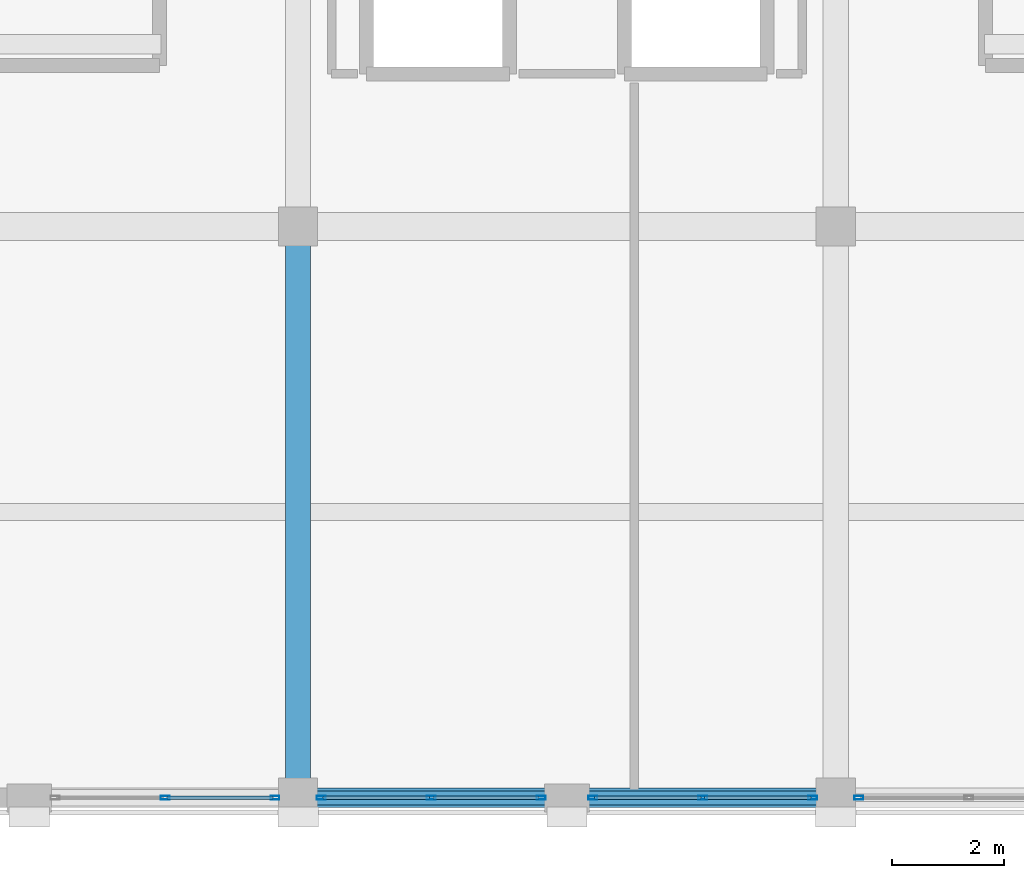
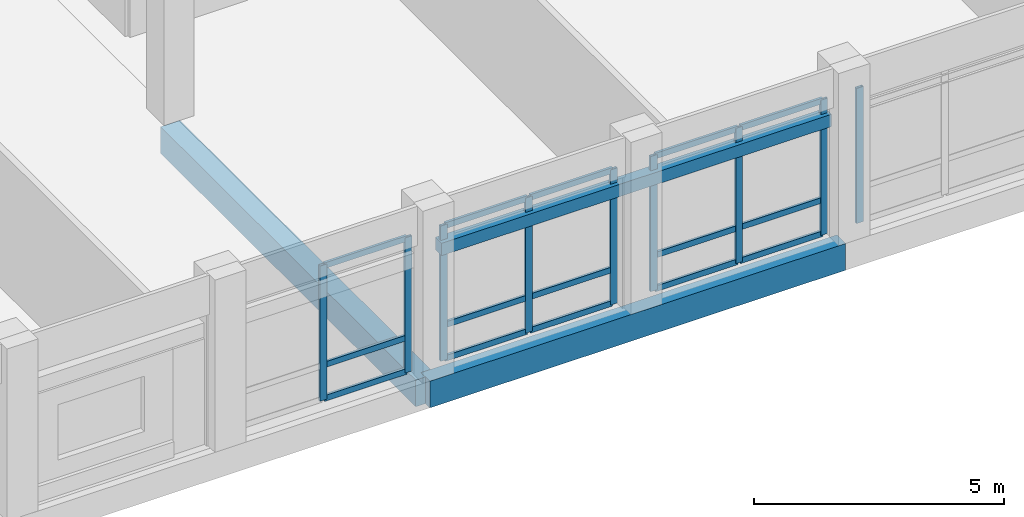
# One storey, part 22 of 185: 24 members, 3 beams, 4 elements without a shape of their own.
"""IFC4 building model written with IfcOpenShell, lengths in metres."""

import ifcopenshell
import ifcopenshell.guid

model = None  # the IFC model being written
_history = None  # IfcOwnerHistory: only IFC2X3 demands one
_inside = {}  # id of a spatial element -> (the spatial element, [elements in it])
_under = {}  # id of a project, library or spatial element -> (it, [spatial elements below it])
_declared = {}  # id of a project -> (the project, [libraries it declares])
_typed = {}  # id of a type object -> (the type object, [elements of that type])
_made_of = {}  # id of a material, layer set ... -> (it, [elements and type objects made of it])


def new_model(schema):
    """Start an empty IFC model of exactly this schema.

    Asked for "IFC4X3", IfcOpenShell would pick the latest addendum, in which some entities
    have other attributes; the version numbers below select the first issue.
    IFC2X3 requires an IfcOwnerHistory on every rooted entity: one is made here for all.
    """
    global model, _history
    if schema == "IFC4X3":
        model = ifcopenshell.file(schema_version=(4, 3, 0, 0))
    else:
        model = ifcopenshell.file(schema=schema)
    _inside.clear()
    _under.clear()
    _declared.clear()
    _typed.clear()
    _made_of.clear()
    _history = None
    if model.schema == "IFC2X3":
        org = make("IfcOrganization", Name="unknown")
        user = make(
            "IfcPersonAndOrganization",
            ThePerson=make("IfcPerson", FamilyName="unknown"),
            TheOrganization=org,
        )
        app = make(
            "IfcApplication",
            ApplicationDeveloper=org,
            Version="unknown",
            ApplicationFullName="unknown",
            ApplicationIdentifier="unknown",
        )
        _history = make(
            "IfcOwnerHistory",
            OwningUser=user,
            OwningApplication=app,
            ChangeAction="ADDED",
            CreationDate=0,
        )
    return model


def make(cls, **values):
    """One entity of the class cls with the attributes given. An attribute that is None is left unset."""
    return model.create_entity(
        cls, **{name: value for name, value in values.items() if value is not None}
    )


def rooted(cls, **values):
    """An entity with a GlobalId (a new one), such as an element, a storey or a relation."""
    return make(cls, GlobalId=ifcopenshell.guid.new(), OwnerHistory=_history, **values)


def si_unit(unit_type, name, prefix=None):
    """IfcSIUnit, for example si_unit("LENGTHUNIT", "METRE", prefix="MILLI")."""
    return make("IfcSIUnit", UnitType=unit_type, Prefix=prefix, Name=name)


def assignment(units):
    """IfcUnitAssignment: the units of a project."""
    return None if units is None else make("IfcUnitAssignment", Units=units)


def point(xyz):
    """IfcCartesianPoint."""
    return None if xyz is None else make("IfcCartesianPoint", Coordinates=xyz)


def direction(xyz):
    """IfcDirection."""
    return None if xyz is None else make("IfcDirection", DirectionRatios=xyz)


def frame(location, z_axis=None, x_axis=None):
    """IfcAxis2Placement3D, a coordinate frame: its origin and axes. An axis left out is left unset."""
    return make(
        "IfcAxis2Placement3D",
        Location=point(location),
        Axis=direction(z_axis),
        RefDirection=direction(x_axis),
    )


def frame_2d(location, x_axis=None):
    """IfcAxis2Placement2D, a coordinate frame in the plane: its origin and x axis."""
    return make(
        "IfcAxis2Placement2D", Location=point(location), RefDirection=direction(x_axis)
    )


def origin():
    """The frame at (0, 0, 0) with its axes left unset."""
    return frame((0.0, 0.0, 0.0))


def origin_2d():
    """The frame at (0, 0) in the plane with its x axis left unset."""
    return frame_2d((0.0, 0.0))


def place(relative_to, where):
    """IfcLocalPlacement: puts the frame where relative to a parent placement (None: the world)."""
    return make(
        "IfcLocalPlacement", PlacementRelTo=relative_to, RelativePlacement=where
    )


def context(
    kind, dimensions, precision=None, world=None, true_north=None, identifier=None
):
    """IfcGeometricRepresentationContext, for example the 3D "Model" context."""
    return make(
        "IfcGeometricRepresentationContext",
        ContextIdentifier=identifier,
        ContextType=kind,
        CoordinateSpaceDimension=dimensions,
        Precision=precision,
        WorldCoordinateSystem=world,
        TrueNorth=true_north,
    )


def subcontext(parent, identifier, kind, view, scale=None):
    """IfcGeometricRepresentationSubContext, for example "Body" below "Model"."""
    return make(
        "IfcGeometricRepresentationSubContext",
        ContextIdentifier=identifier,
        ContextType=kind,
        ParentContext=parent,
        TargetScale=scale,
        TargetView=view,
    )


def project(units=None, contexts=None):
    """IfcProject with its units and contexts."""
    return rooted(
        "IfcProject",
        Name="project",
        RepresentationContexts=contexts,
        UnitsInContext=assignment(units),
    )


def spatial(cls, under=None, at=None, **own):
    """A site, building, storey or space (cls), placed at a placement, below another one or the project."""
    s = rooted(cls, ObjectPlacement=at, **own)
    if under is not None:
        _under.setdefault(under.id(), (under, []))[1].append(s)
    return s


def profile(cls, at=None, kind="AREA", **sizes):
    """A parametric profile (cls). Its sizes go by their IFC names, for example OverallWidth=200.0."""
    return make(cls, ProfileType=kind, Position=at, **sizes)


def rectangle(**sizes):
    """IfcRectangleProfileDef."""
    return profile("IfcRectangleProfileDef", **sizes)


def hollow_rectangle(**sizes):
    """IfcRectangleHollowProfileDef."""
    return profile("IfcRectangleHollowProfileDef", **sizes)


def extrude(swept, where, along, depth):
    """IfcExtrudedAreaSolid: the profile swept, set in the frame where, extruded along a direction by depth."""
    return make(
        "IfcExtrudedAreaSolid",
        SweptArea=swept,
        Position=where,
        ExtrudedDirection=direction(along),
        Depth=depth,
    )


def shape(context_of_items, identifier, shape_type, items):
    """IfcShapeRepresentation: the items that make up one representation, for example the "Body"."""
    return make(
        "IfcShapeRepresentation",
        ContextOfItems=context_of_items,
        RepresentationIdentifier=identifier,
        RepresentationType=shape_type,
        Items=items,
    )


def material(Name=None, Category=None):
    """IfcMaterial."""
    return make("IfcMaterial", Name=Name, Category=Category)


def material_profile(
    of_material, cross_section, Name=None, Category=None, Priority=None
):
    """IfcMaterialProfile: a cross section and its material."""
    return make(
        "IfcMaterialProfile",
        Name=Name,
        Material=of_material,
        Profile=cross_section,
        Priority=Priority,
        Category=Category,
    )


def profile_set(profiles, Name=None, composite=None):
    """IfcMaterialProfileSet."""
    return make(
        "IfcMaterialProfileSet",
        Name=Name,
        MaterialProfiles=profiles,
        CompositeProfile=composite,
    )


def made_of(thing, what):
    """Note that an element or type object is made of a material, layer set ...; save() writes the relation."""
    if what is not None:
        _made_of.setdefault(what.id(), (what, []))[1].append(thing)
    return thing


def type_object(cls, material=None, **own):
    """A type object (cls), such as IfcWallType, which elements share."""
    return made_of(rooted(cls, **own), material)


def element(
    cls,
    number,
    at=None,
    inside=None,
    cuts=None,
    type_object=None,
    material=None,
    context=None,
    identifier="Body",
    shape_type=None,
    held_by="IfcProductDefinitionShape",
    body=None,
    shapes=None,
    **own,
):
    """One element of the class cls, such as IfcWall. Its Tag is "e" and its number.

    at: its placement. inside: the storey or other place that contains it. cuts: it is an
    opening in that element (IfcRelVoidsElement). A single representation is given by context,
    identifier, shape_type and body (its items); several are given by shapes. held_by: the class
    of the entity that holds the representations. save() writes the other relations.
    """
    e = rooted(cls, Tag="e%d" % number, ObjectPlacement=at, **own)
    if body is not None:
        shapes = [shape(context, identifier, shape_type, body)]
    if shapes is not None:
        e.Representation = make(held_by, Representations=shapes)
    if inside is not None:
        _inside.setdefault(inside.id(), (inside, []))[1].append(e)
    if cuts is not None:
        rooted(
            "IfcRelVoidsElement", RelatingBuildingElement=cuts, RelatedOpeningElement=e
        )
    if type_object is not None:
        _typed.setdefault(type_object.id(), (type_object, []))[1].append(e)
    return made_of(e, material)


def aggregate(whole, parts):
    """IfcRelAggregates: a whole, such as a stair, and the parts it consists of."""
    return rooted("IfcRelAggregates", RelatingObject=whole, RelatedObjects=parts)


def save(model, path):
    """Write the relations noted so far, then the file.

    IfcRelAggregates (storeys below a building ...), IfcRelContainedInSpatialStructure (elements
    in a storey), IfcRelDefinesByType, IfcRelAssociatesMaterial and IfcRelDeclares: one each for
    every whole, place, type object, material and project.
    """
    for whole, parts in _under.values():
        aggregate(whole, parts)
    for where, things in _inside.values():
        rooted(
            "IfcRelContainedInSpatialStructure",
            RelatedElements=things,
            RelatingStructure=where,
        )
    for kind, things in _typed.values():
        rooted("IfcRelDefinesByType", RelatedObjects=things, RelatingType=kind)
    for what, things in _made_of.values():
        rooted("IfcRelAssociatesMaterial", RelatedObjects=things, RelatingMaterial=what)
    for by, libraries in _declared.values():
        rooted("IfcRelDeclares", RelatingContext=by, RelatedDefinitions=libraries)
    model.write(path)


model = new_model("IFC4")

# Units and contexts
model_context = context("Model", 3, precision=1e-05, world=origin(), true_north=direction((0.0, 1.0)))
body_context = subcontext(model_context, "Body", "Model", "MODEL_VIEW")
ifc_project = project(units=[si_unit("LENGTHUNIT", "METRE"), si_unit("AREAUNIT", "SQUARE_METRE"), si_unit("VOLUMEUNIT", "CUBIC_METRE"), si_unit("PLANEANGLEUNIT", "RADIAN"), si_unit("MASSUNIT", "GRAM", prefix="KILO")], contexts=[model_context])

# Site, building, storey
site_placement = place(None, origin())
site = spatial("IfcSite", under=ifc_project, at=site_placement, CompositionType="ELEMENT")
building_placement = place(site_placement, origin())
building = spatial("IfcBuilding", under=site, at=building_placement, Name="Vondelvale Polytechnic", CompositionType="ELEMENT")
storey_placement = place(building_placement, frame((0.0, 0.0, 9.60009765625)))
storey = spatial("IfcBuildingStorey", under=building, at=storey_placement, Name="L02", CompositionType="ELEMENT", Elevation=9.60009765625)

# Beam
ifc_material_1 = material(Name="Concrete N40 (f'c = 40 MPa)", Category="concrete")
ifc_material_profile_1 = material_profile(ifc_material_1, rectangle(XDim=0.449951171875, YDim=0.64990234375, at=origin_2d()), Name="RC-BM-450x650")
ifc_profile_set_1 = profile_set([ifc_material_profile_1], Name="Concrete N40 (f'c = 40 MPa)")
beam_type_1 = type_object("IfcBeamType", Name="BM-RC450x650", PredefinedType="BEAM", material=ifc_profile_set_1)
beam_1_placement = place(storey_placement, frame((19.199951171875, 0.0, -0.60498046875), z_axis=(0.0, 1.0, 0.0), x_axis=(-1.0, 0.0, 0.0)))
element("IfcBeam", 1, at=beam_1_placement, inside=storey, type_object=beam_type_1, Name="L02 B B-04", PredefinedType="BEAM", context=body_context, shape_type="SweptSolid", body=[
    extrude(rectangle(XDim=0.449951171875, YDim=0.64990234375, at=origin_2d()), origin(), (0.0, 0.0, 1.0), 10.199951171875),
])

# Curtain wall, members
ifc_material_2 = material(Name="Anodised extruded aluminium 6063-T6", Category="aluminium")
curtain_wall_type = type_object("IfcCurtainWallType", Name="CW-LIBRARY-BAY", PredefinedType="NOTDEFINED", material=ifc_material_2)
curtain_wall_1_placement = place(storey_placement, origin())
curtain_wall_1 = element("IfcCurtainWall", 2, at=curtain_wall_1_placement, inside=storey, type_object=curtain_wall_type, Name="L02 architectural curtain wall CW-02-013", PredefinedType="NOTDEFINED")
ifc_material_profile_2 = material_profile(ifc_material_2, hollow_rectangle(XDim=0.06494140625, YDim=0.159912109375, WallThickness=0.0048828125, at=origin_2d()), Name="CW-MUL-160x65")
ifc_profile_set_2 = profile_set([ifc_material_profile_2], Name="Anodised extruded aluminium 6063-T6")
member_type_1 = type_object("IfcMemberType", Name="CW-MUL-65x160", PredefinedType="MULLION", material=ifc_profile_set_2)
member_1_placement = place(storey_placement, frame((16.824951171875, 0.0, 0.0), z_axis=(0.0, 0.0, 1.0), x_axis=(0.0, 1.0, 0.0)))
member_1 = element("IfcMember", 3, at=member_1_placement, type_object=member_type_1, Name="CW-02-013 mullion 2", PredefinedType="MULLION", context=body_context, shape_type="SweptSolid", body=[
    extrude(hollow_rectangle(XDim=0.06494140625, YDim=0.159912109375, WallThickness=0.0048828125, at=origin_2d()), origin(), (0.0, 0.0, 1.0), 3.2998046875),
])
member_2_placement = place(storey_placement, frame((18.78759765625, 0.0, 0.0), z_axis=(0.0, 0.0, 1.0), x_axis=(0.0, 1.0, 0.0)))
member_2 = element("IfcMember", 4, at=member_2_placement, type_object=member_type_1, Name="CW-02-013 mullion 3", PredefinedType="MULLION", context=body_context, shape_type="SweptSolid", body=[
    extrude(hollow_rectangle(XDim=0.06494140625, YDim=0.159912109375, WallThickness=0.0048828125, at=origin_2d()), origin(), (0.0, 0.0, 1.0), 3.2998046875),
])

curtain_wall_2_placement = place(storey_placement, origin())
curtain_wall_2 = element("IfcCurtainWall", 5, at=curtain_wall_2_placement, inside=storey, type_object=curtain_wall_type, Name="L02 architectural curtain wall CW-02-014", PredefinedType="NOTDEFINED")
member_3_placement = place(storey_placement, frame((19.612548828125, 0.0, 0.0), z_axis=(0.0, 0.0, 1.0), x_axis=(0.0, 1.0, 0.0)))
member_3 = element("IfcMember", 6, at=member_3_placement, type_object=member_type_1, Name="CW-02-014 mullion 1", PredefinedType="MULLION", context=body_context, shape_type="SweptSolid", body=[
    extrude(hollow_rectangle(XDim=0.06494140625, YDim=0.159912109375, WallThickness=0.0048828125, at=origin_2d()), origin(), (0.0, 0.0, 1.0), 3.2998046875),
])
member_4_placement = place(storey_placement, frame((21.574951171875, 0.0, 0.0), z_axis=(0.0, 0.0, 1.0), x_axis=(0.0, 1.0, 0.0)))
member_4 = element("IfcMember", 7, at=member_4_placement, type_object=member_type_1, Name="CW-02-014 mullion 2", PredefinedType="MULLION", context=body_context, shape_type="SweptSolid", body=[
    extrude(hollow_rectangle(XDim=0.06494140625, YDim=0.159912109375, WallThickness=0.0048828125, at=origin_2d()), origin(), (0.0, 0.0, 1.0), 3.2998046875),
])
member_5_placement = place(storey_placement, frame((23.53759765625, 0.0, 0.0), z_axis=(0.0, 0.0, 1.0), x_axis=(0.0, 1.0, 0.0)))
member_5 = element("IfcMember", 8, at=member_5_placement, type_object=member_type_1, Name="CW-02-014 mullion 3", PredefinedType="MULLION", context=body_context, shape_type="SweptSolid", body=[
    extrude(hollow_rectangle(XDim=0.06494140625, YDim=0.159912109375, WallThickness=0.0048828125, at=origin_2d()), origin(), (0.0, 0.0, 1.0), 3.2998046875),
])

curtain_wall_3_placement = place(storey_placement, origin())
curtain_wall_3 = element("IfcCurtainWall", 9, at=curtain_wall_3_placement, inside=storey, type_object=curtain_wall_type, Name="L02 architectural curtain wall CW-02-015", PredefinedType="NOTDEFINED")
member_6_placement = place(storey_placement, frame((24.46240234375, 0.0, 0.0), z_axis=(0.0, 0.0, 1.0), x_axis=(0.0, 1.0, 0.0)))
member_6 = element("IfcMember", 10, at=member_6_placement, type_object=member_type_1, Name="CW-02-015 mullion 1", PredefinedType="MULLION", context=body_context, shape_type="SweptSolid", body=[
    extrude(hollow_rectangle(XDim=0.06494140625, YDim=0.159912109375, WallThickness=0.0048828125, at=origin_2d()), origin(), (0.0, 0.0, 1.0), 3.2998046875),
])
member_7_placement = place(storey_placement, frame((26.425048828125, 0.0, 0.0), z_axis=(0.0, 0.0, 1.0), x_axis=(0.0, 1.0, 0.0)))
member_7 = element("IfcMember", 11, at=member_7_placement, type_object=member_type_1, Name="CW-02-015 mullion 2", PredefinedType="MULLION", context=body_context, shape_type="SweptSolid", body=[
    extrude(hollow_rectangle(XDim=0.06494140625, YDim=0.159912109375, WallThickness=0.0048828125, at=origin_2d()), origin(), (0.0, 0.0, 1.0), 3.2998046875),
])
member_8_placement = place(storey_placement, frame((28.387451171875, 0.0, 0.0), z_axis=(0.0, 0.0, 1.0), x_axis=(0.0, 1.0, 0.0)))
member_8 = element("IfcMember", 12, at=member_8_placement, type_object=member_type_1, Name="CW-02-015 mullion 3", PredefinedType="MULLION", context=body_context, shape_type="SweptSolid", body=[
    extrude(hollow_rectangle(XDim=0.06494140625, YDim=0.159912109375, WallThickness=0.0048828125, at=origin_2d()), origin(), (0.0, 0.0, 1.0), 3.2998046875),
])

# Curtain wall, member
curtain_wall_4_placement = place(storey_placement, origin())
curtain_wall_4 = element("IfcCurtainWall", 13, at=curtain_wall_4_placement, inside=storey, type_object=curtain_wall_type, Name="L02 architectural curtain wall CW-02-016", PredefinedType="NOTDEFINED")
member_9_placement = place(storey_placement, frame((29.21240234375, 0.0, 0.0), z_axis=(0.0, 0.0, 1.0), x_axis=(0.0, 1.0, 0.0)))
member_9 = element("IfcMember", 14, at=member_9_placement, type_object=member_type_1, Name="CW-02-016 mullion 1", PredefinedType="MULLION", context=body_context, shape_type="SweptSolid", body=[
    extrude(hollow_rectangle(XDim=0.06494140625, YDim=0.159912109375, WallThickness=0.0048828125, at=origin_2d()), origin(), (0.0, 0.0, 1.0), 3.2998046875),
])
aggregate(curtain_wall_4, [member_9])

# Member
ifc_material_profile_3 = material_profile(ifc_material_2, hollow_rectangle(XDim=0.06005859375, YDim=0.139892578125, WallThickness=0.00341796875, at=origin_2d()), Name="CW-TRN-140x60")
ifc_profile_set_3 = profile_set([ifc_material_profile_3], Name="Anodised extruded aluminium 6063-T6")
member_type_2 = type_object("IfcMemberType", Name="CW-TRN-60x140", PredefinedType="USERDEFINED", material=ifc_profile_set_3)
member_10_placement = place(storey_placement, frame((16.857421875, 0.0, 0.02978515625), z_axis=(1.0, 0.0, 0.0), x_axis=(0.0, 1.0, 0.0)))
member_10 = element("IfcMember", 15, at=member_10_placement, type_object=member_type_2, Name="CW-02-013 transom 2.1", ObjectType="TRANSOM", PredefinedType="USERDEFINED", context=body_context, shape_type="SweptSolid", body=[
    extrude(hollow_rectangle(XDim=0.06005859375, YDim=0.139892578125, WallThickness=0.00341796875, at=origin_2d()), origin(), (0.0, 0.0, 1.0), 1.8974609375),
])

member_11_placement = place(storey_placement, frame((16.857421875, 0.0, 0.849853515625), z_axis=(1.0, 0.0, 0.0), x_axis=(0.0, 1.0, 0.0)))
member_11 = element("IfcMember", 16, at=member_11_placement, type_object=member_type_2, Name="CW-02-013 transom 2.2", ObjectType="TRANSOM", PredefinedType="USERDEFINED", context=body_context, shape_type="SweptSolid", body=[
    extrude(hollow_rectangle(XDim=0.06005859375, YDim=0.139892578125, WallThickness=0.00341796875, at=origin_2d()), origin(), (0.0, 0.0, 1.0), 1.8974609375),
])

member_12_placement = place(storey_placement, frame((16.857421875, 0.0, 3.27001953125), z_axis=(1.0, 0.0, 0.0), x_axis=(0.0, 1.0, 0.0)))
member_12 = element("IfcMember", 17, at=member_12_placement, type_object=member_type_2, Name="CW-02-013 transom 2.3", ObjectType="TRANSOM", PredefinedType="USERDEFINED", context=body_context, shape_type="SweptSolid", body=[
    extrude(hollow_rectangle(XDim=0.06005859375, YDim=0.139892578125, WallThickness=0.00341796875, at=origin_2d()), origin(), (0.0, 0.0, 1.0), 1.8974609375),
])

aggregate(curtain_wall_1, [member_1, member_2, member_10, member_11, member_12])

member_13_placement = place(storey_placement, frame((19.64501953125, 0.0, 0.02978515625), z_axis=(1.0, 0.0, 0.0), x_axis=(0.0, 1.0, 0.0)))
member_13 = element("IfcMember", 18, at=member_13_placement, type_object=member_type_2, Name="CW-02-014 transom 1.1", ObjectType="TRANSOM", PredefinedType="USERDEFINED", context=body_context, shape_type="SweptSolid", body=[
    extrude(hollow_rectangle(XDim=0.06005859375, YDim=0.139892578125, WallThickness=0.00341796875, at=origin_2d()), origin(), (0.0, 0.0, 1.0), 1.8974609375),
])

member_14_placement = place(storey_placement, frame((19.64501953125, 0.0, 0.849853515625), z_axis=(1.0, 0.0, 0.0), x_axis=(0.0, 1.0, 0.0)))
member_14 = element("IfcMember", 19, at=member_14_placement, type_object=member_type_2, Name="CW-02-014 transom 1.2", ObjectType="TRANSOM", PredefinedType="USERDEFINED", context=body_context, shape_type="SweptSolid", body=[
    extrude(hollow_rectangle(XDim=0.06005859375, YDim=0.139892578125, WallThickness=0.00341796875, at=origin_2d()), origin(), (0.0, 0.0, 1.0), 1.8974609375),
])

member_15_placement = place(storey_placement, frame((19.64501953125, 0.0, 3.27001953125), z_axis=(1.0, 0.0, 0.0), x_axis=(0.0, 1.0, 0.0)))
member_15 = element("IfcMember", 20, at=member_15_placement, type_object=member_type_2, Name="CW-02-014 transom 1.3", ObjectType="TRANSOM", PredefinedType="USERDEFINED", context=body_context, shape_type="SweptSolid", body=[
    extrude(hollow_rectangle(XDim=0.06005859375, YDim=0.139892578125, WallThickness=0.00341796875, at=origin_2d()), origin(), (0.0, 0.0, 1.0), 1.8974609375),
])

member_16_placement = place(storey_placement, frame((21.607421875, 0.0, 0.02978515625), z_axis=(1.0, 0.0, 0.0), x_axis=(0.0, 1.0, 0.0)))
member_16 = element("IfcMember", 21, at=member_16_placement, type_object=member_type_2, Name="CW-02-014 transom 2.1", ObjectType="TRANSOM", PredefinedType="USERDEFINED", context=body_context, shape_type="SweptSolid", body=[
    extrude(hollow_rectangle(XDim=0.06005859375, YDim=0.139892578125, WallThickness=0.00341796875, at=origin_2d()), origin(), (0.0, 0.0, 1.0), 1.8974609375),
])

member_17_placement = place(storey_placement, frame((21.607421875, 0.0, 0.849853515625), z_axis=(1.0, 0.0, 0.0), x_axis=(0.0, 1.0, 0.0)))
member_17 = element("IfcMember", 22, at=member_17_placement, type_object=member_type_2, Name="CW-02-014 transom 2.2", ObjectType="TRANSOM", PredefinedType="USERDEFINED", context=body_context, shape_type="SweptSolid", body=[
    extrude(hollow_rectangle(XDim=0.06005859375, YDim=0.139892578125, WallThickness=0.00341796875, at=origin_2d()), origin(), (0.0, 0.0, 1.0), 1.8974609375),
])

member_18_placement = place(storey_placement, frame((21.607421875, 0.0, 3.27001953125), z_axis=(1.0, 0.0, 0.0), x_axis=(0.0, 1.0, 0.0)))
member_18 = element("IfcMember", 23, at=member_18_placement, type_object=member_type_2, Name="CW-02-014 transom 2.3", ObjectType="TRANSOM", PredefinedType="USERDEFINED", context=body_context, shape_type="SweptSolid", body=[
    extrude(hollow_rectangle(XDim=0.06005859375, YDim=0.139892578125, WallThickness=0.00341796875, at=origin_2d()), origin(), (0.0, 0.0, 1.0), 1.8974609375),
])

aggregate(curtain_wall_2, [member_3, member_4, member_5, member_13, member_14, member_15, member_16, member_17, member_18])

member_19_placement = place(storey_placement, frame((24.4951171875, 0.0, 0.02978515625), z_axis=(1.0, 0.0, 0.0), x_axis=(0.0, 1.0, 0.0)))
member_19 = element("IfcMember", 24, at=member_19_placement, type_object=member_type_2, Name="CW-02-015 transom 1.1", ObjectType="TRANSOM", PredefinedType="USERDEFINED", context=body_context, shape_type="SweptSolid", body=[
    extrude(hollow_rectangle(XDim=0.06005859375, YDim=0.139892578125, WallThickness=0.00341796875, at=origin_2d()), origin(), (0.0, 0.0, 1.0), 1.8974609375),
])

member_20_placement = place(storey_placement, frame((24.4951171875, 0.0, 0.849853515625), z_axis=(1.0, 0.0, 0.0), x_axis=(0.0, 1.0, 0.0)))
member_20 = element("IfcMember", 25, at=member_20_placement, type_object=member_type_2, Name="CW-02-015 transom 1.2", ObjectType="TRANSOM", PredefinedType="USERDEFINED", context=body_context, shape_type="SweptSolid", body=[
    extrude(hollow_rectangle(XDim=0.06005859375, YDim=0.139892578125, WallThickness=0.00341796875, at=origin_2d()), origin(), (0.0, 0.0, 1.0), 1.8974609375),
])

member_21_placement = place(storey_placement, frame((24.4951171875, 0.0, 3.27001953125), z_axis=(1.0, 0.0, 0.0), x_axis=(0.0, 1.0, 0.0)))
member_21 = element("IfcMember", 26, at=member_21_placement, type_object=member_type_2, Name="CW-02-015 transom 1.3", ObjectType="TRANSOM", PredefinedType="USERDEFINED", context=body_context, shape_type="SweptSolid", body=[
    extrude(hollow_rectangle(XDim=0.06005859375, YDim=0.139892578125, WallThickness=0.00341796875, at=origin_2d()), origin(), (0.0, 0.0, 1.0), 1.8974609375),
])

member_22_placement = place(storey_placement, frame((26.45751953125, 0.0, 0.02978515625), z_axis=(1.0, 0.0, 0.0), x_axis=(0.0, 1.0, 0.0)))
member_22 = element("IfcMember", 27, at=member_22_placement, type_object=member_type_2, Name="CW-02-015 transom 2.1", ObjectType="TRANSOM", PredefinedType="USERDEFINED", context=body_context, shape_type="SweptSolid", body=[
    extrude(hollow_rectangle(XDim=0.06005859375, YDim=0.139892578125, WallThickness=0.00341796875, at=origin_2d()), origin(), (0.0, 0.0, 1.0), 1.8974609375),
])

member_23_placement = place(storey_placement, frame((26.45751953125, 0.0, 0.849853515625), z_axis=(1.0, 0.0, 0.0), x_axis=(0.0, 1.0, 0.0)))
member_23 = element("IfcMember", 28, at=member_23_placement, type_object=member_type_2, Name="CW-02-015 transom 2.2", ObjectType="TRANSOM", PredefinedType="USERDEFINED", context=body_context, shape_type="SweptSolid", body=[
    extrude(hollow_rectangle(XDim=0.06005859375, YDim=0.139892578125, WallThickness=0.00341796875, at=origin_2d()), origin(), (0.0, 0.0, 1.0), 1.8974609375),
])

member_24_placement = place(storey_placement, frame((26.45751953125, 0.0, 3.27001953125), z_axis=(1.0, 0.0, 0.0), x_axis=(0.0, 1.0, 0.0)))
member_24 = element("IfcMember", 29, at=member_24_placement, type_object=member_type_2, Name="CW-02-015 transom 2.3", ObjectType="TRANSOM", PredefinedType="USERDEFINED", context=body_context, shape_type="SweptSolid", body=[
    extrude(hollow_rectangle(XDim=0.06005859375, YDim=0.139892578125, WallThickness=0.00341796875, at=origin_2d()), origin(), (0.0, 0.0, 1.0), 1.8974609375),
])

aggregate(curtain_wall_3, [member_6, member_7, member_8, member_19, member_20, member_21, member_22, member_23, member_24])

# Beams
ifc_material_3 = material(Name="Precast concrete N40 (f'c = 40 MPa)", Category="concrete")
ifc_material_profile_4 = material_profile(ifc_material_3, rectangle(XDim=0.25, YDim=0.300048828125, at=origin_2d()), Name="RC-LNT-250x300")
ifc_profile_set_4 = profile_set([ifc_material_profile_4], Name="Precast concrete N40 (f'c = 40 MPa)")
beam_type_2 = type_object("IfcBeamType", Name="LNT-RC250x300", PredefinedType="LINTEL", material=ifc_profile_set_4)
beam_2_placement = place(storey_placement, frame((19.5, 0.0, 2.7998046875), z_axis=(1.0, 0.0, 0.0), x_axis=(0.0, 1.0, 0.0)))
element("IfcBeam", 30, at=beam_2_placement, inside=storey, type_object=beam_type_2, Name="L02 LN LN-02", PredefinedType="LINTEL", context=body_context, shape_type="SweptSolid", body=[
    extrude(rectangle(XDim=0.25, YDim=0.300048828125, at=origin_2d()), origin(), (0.0, 0.0, 1.0), 9.0),
])
ifc_material_profile_5 = material_profile(ifc_material_3, rectangle(XDim=0.35009765625, YDim=0.64990234375, at=origin_2d()), Name="RC-SPN-350x650")
ifc_profile_set_5 = profile_set([ifc_material_profile_5], Name="Precast concrete N40 (f'c = 40 MPa)")
beam_type_3 = type_object("IfcBeamType", Name="SPN-PRE350x650", PredefinedType="SPANDREL", material=ifc_profile_set_5)
beam_3_placement = place(storey_placement, frame((19.199951171875, 0.0, -0.60498046875), z_axis=(1.0, 0.0, 0.0), x_axis=(0.0, 1.0, 0.0)))
element("IfcBeam", 31, at=beam_3_placement, inside=storey, type_object=beam_type_3, Name="L02 B SP-02", PredefinedType="SPANDREL", context=body_context, shape_type="SweptSolid", body=[
    extrude(rectangle(XDim=0.35009765625, YDim=0.64990234375, at=origin_2d()), origin(), (0.0, 0.0, 1.0), 9.60009765625),
])

save(model, "model.ifc")
